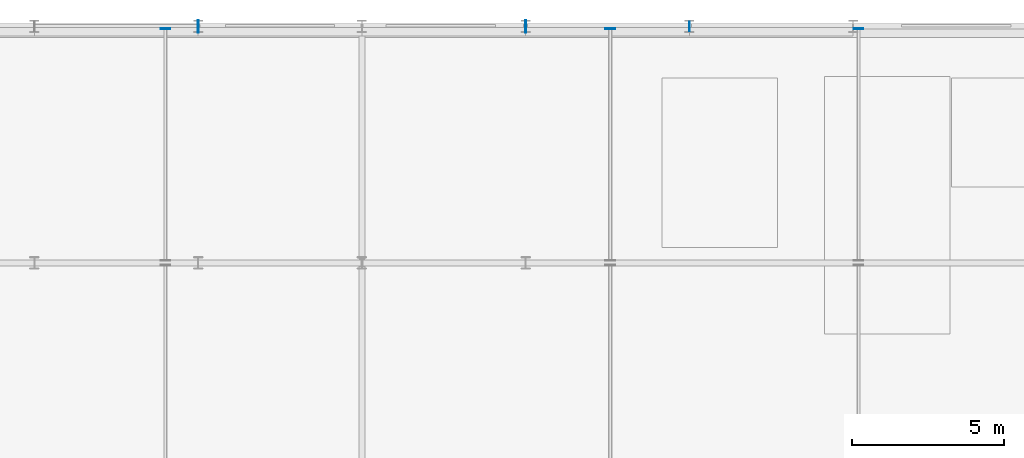
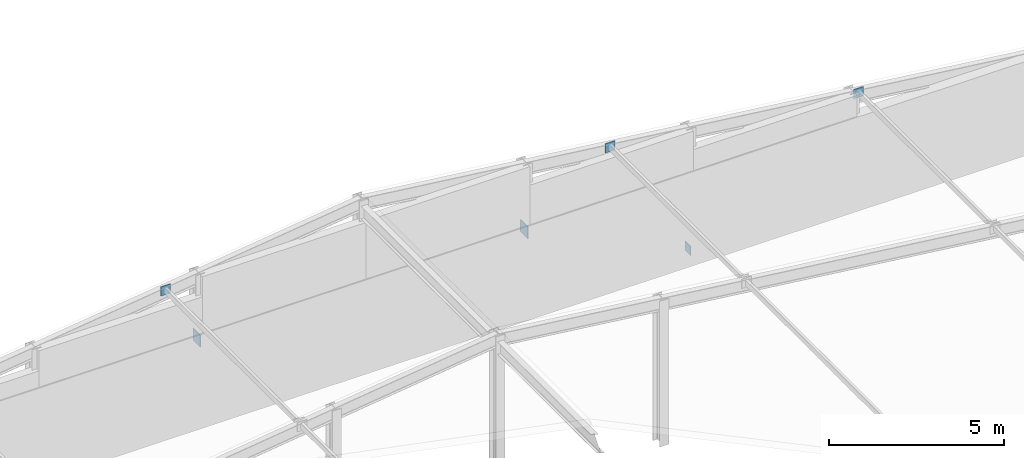
# One storey, part 23 of 27: 6 plates.
"""IFC4 building model written with IfcOpenShell, lengths in metres."""

from ifc_helpers import new_model, si_unit, direction, frame, origin, origin_2d, place, context, subcontext, project, spatial, rectangle, extrude, material, layer, layer_set, type_object, element, save


model = new_model("IFC4")

# Units and contexts
model_context = context("Model", 3, precision=1e-05, world=origin(), true_north=direction((0.0, 1.0)))
body_context = subcontext(model_context, "Body", "Model", "MODEL_VIEW")
ifc_project = project(units=[si_unit("LENGTHUNIT", "METRE"), si_unit("AREAUNIT", "SQUARE_METRE"), si_unit("VOLUMEUNIT", "CUBIC_METRE"), si_unit("PLANEANGLEUNIT", "RADIAN"), si_unit("MASSUNIT", "GRAM", prefix="KILO")], contexts=[model_context])

# Site, building, storey
site_placement = place(None, origin())
site = spatial("IfcSite", under=ifc_project, at=site_placement, CompositionType="ELEMENT")
building_placement = place(site_placement, origin())
building = spatial("IfcBuilding", under=site, at=building_placement, Name="Tazoul Stagehouse", CompositionType="ELEMENT")
storey_placement = place(building_placement, frame((0.0, 0.0, 24.89990234375)))
storey = spatial("IfcBuildingStorey", under=building, at=storey_placement, Name="RF", CompositionType="ELEMENT", Elevation=24.89990234375)

# Plates
ifc_material = material(Name="Steel S355", Category="steel")
ifc_layer_1 = layer(ifc_material, 0.02001953125, Name="Steel S355")
ifc_layer_set_1 = layer_set([ifc_layer_1], Name="Steel S355")
plate_type_1 = type_object("IfcPlateType", Name="Steel Brace End-Cap Plate 320x320x20", PredefinedType="USERDEFINED", material=ifc_layer_set_1)
for number, where, z_axis, x_axis, name in (
    (1, (72.719970703125, 111.719970703125, 4.6298828125), (0.0, 0.0, 1.0), (0.0, 1.0, 0.0), "RF Purlin End-Cap Plate GP-01 (PURL-V2-W2-2-2)"),
    (2, (87.389892578125, 111.719970703125, 4.490234375), (0.0, 0.0, 1.0), (0.0, 1.0, 0.0), "RF Purlin End-Cap Plate GP-01 (PURL-V2-E2-1-2)"),
    (3, (95.580078125, 111.719970703125, 3.51025390625), (0.0, 0.0, 1.0), (0.0, 1.0, 0.0), "RF Purlin End-Cap Plate GP-01 (PURL-V2-E2-2-2)"),
):
    element("IfcPlate", number, at=place(storey_placement, frame(where, z_axis=z_axis, x_axis=x_axis)), inside=storey, type_object=plate_type_1, Name=name, ObjectType="GUSSET PLATE", PredefinedType="USERDEFINED", context=body_context, shape_type="SweptSolid", body=[
        extrude(rectangle(XDim=0.02001953125, YDim=0.320068359375, at=origin_2d()), origin(), (0.0, 0.0, 1.0), 0.320068359375),
    ])
ifc_layer_2 = layer(ifc_material, 0.02001953125, Name="Steel S355")
ifc_layer_set_2 = layer_set([ifc_layer_2], Name="Steel S355")
plate_type_2 = type_object("IfcPlateType", Name="Steel Brace End-Cap Plate 320x320x20 (Exterior)", PredefinedType="USERDEFINED", material=ifc_layer_set_2)
plate_placement = place(storey_placement, frame((90.0, 111.800048828125, -0.009765625), z_axis=(0.0, 0.0, 1.0), x_axis=(-1.0, 0.0, 0.0)))
element("IfcPlate", 4, at=plate_placement, inside=storey, type_object=plate_type_2, Name="RF Gusset End-Cap Plate GP-01E (BR-FT-RF-N2-1)", ObjectType="GUSSET PLATE", PredefinedType="USERDEFINED", context=body_context, shape_type="SweptSolid", body=[
    extrude(rectangle(XDim=0.02001953125, YDim=0.320068359375, at=origin_2d()), origin(), (0.0, 0.0, 1.0), 0.320068359375),
])
ifc_layer_3 = layer(ifc_material, 0.02392578125, Name="Steel S355")
ifc_layer_set_3 = layer_set([ifc_layer_3], Name="Steel S355")
plate_type_3 = type_object("IfcPlateType", Name="Steel Gusset Node Plate 420x420x24 (Exterior)", PredefinedType="USERDEFINED", material=ifc_layer_set_3)
for number, where, z_axis, x_axis, name in (
    (5, (73.800048828125, 111.800048828125, 2.490234375), (0.0, 0.0, 1.0), (1.0, 0.0, 0.0), "RF Gusset End-Cap Plate GP-02E (BR-FT-RF-N1-2)"),
    (6, (84.60009765625, 111.800048828125, 2.490234375), (0.0, 0.0, 1.0), (-1.0, 0.0, 0.0), "RF Gusset End-Cap Plate GP-02E (BR-FT-RF-N2-2)"),
):
    element("IfcPlate", number, at=place(storey_placement, frame(where, z_axis=z_axis, x_axis=x_axis)), inside=storey, type_object=plate_type_3, Name=name, ObjectType="GUSSET PLATE", PredefinedType="USERDEFINED", context=body_context, shape_type="SweptSolid", body=[
        extrude(rectangle(XDim=0.02392578125, YDim=0.419921875, at=origin_2d()), origin(), (0.0, 0.0, 1.0), 0.419921875),
    ])

save(model, "model.ifc")
